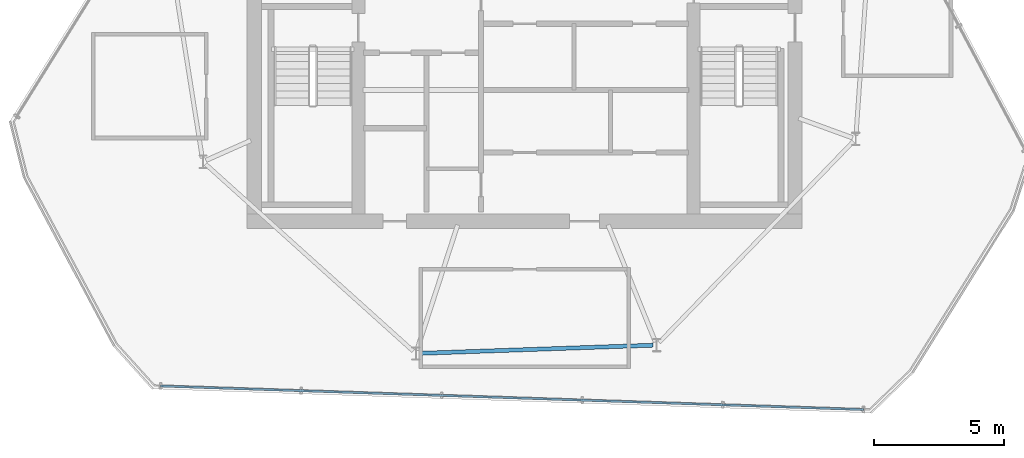
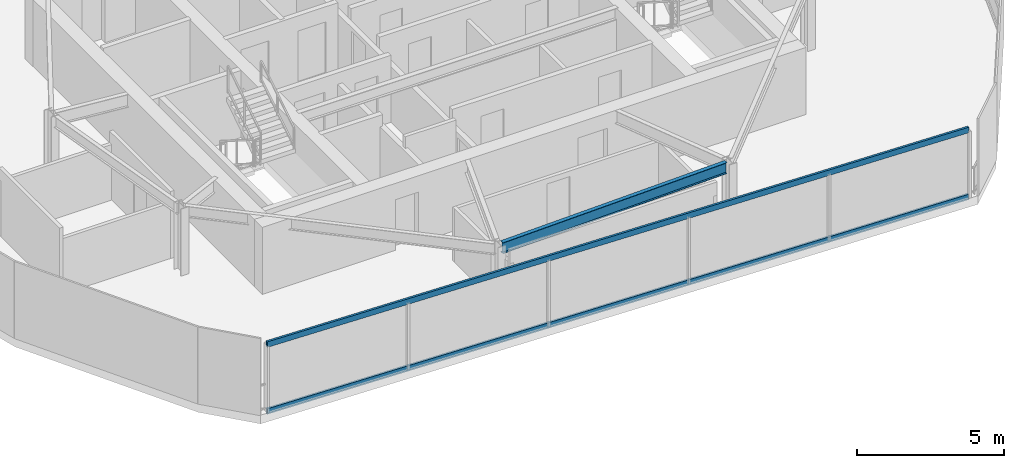
# One storey, part 3 of 16: 2 members, 1 beam, 1 element without a shape of its own.
"""IFC4 building model written with IfcOpenShell, lengths in metres."""

import ifcopenshell
import ifcopenshell.guid

model = None  # the IFC model being written
_history = None  # IfcOwnerHistory: only IFC2X3 demands one
_inside = {}  # id of a spatial element -> (the spatial element, [elements in it])
_under = {}  # id of a project, library or spatial element -> (it, [spatial elements below it])
_declared = {}  # id of a project -> (the project, [libraries it declares])
_typed = {}  # id of a type object -> (the type object, [elements of that type])
_made_of = {}  # id of a material, layer set ... -> (it, [elements and type objects made of it])


def new_model(schema):
    """Start an empty IFC model of exactly this schema.

    Asked for "IFC4X3", IfcOpenShell would pick the latest addendum, in which some entities
    have other attributes; the version numbers below select the first issue.
    IFC2X3 requires an IfcOwnerHistory on every rooted entity: one is made here for all.
    """
    global model, _history
    if schema == "IFC4X3":
        model = ifcopenshell.file(schema_version=(4, 3, 0, 0))
    else:
        model = ifcopenshell.file(schema=schema)
    _inside.clear()
    _under.clear()
    _declared.clear()
    _typed.clear()
    _made_of.clear()
    _history = None
    if model.schema == "IFC2X3":
        org = make("IfcOrganization", Name="unknown")
        user = make(
            "IfcPersonAndOrganization",
            ThePerson=make("IfcPerson", FamilyName="unknown"),
            TheOrganization=org,
        )
        app = make(
            "IfcApplication",
            ApplicationDeveloper=org,
            Version="unknown",
            ApplicationFullName="unknown",
            ApplicationIdentifier="unknown",
        )
        _history = make(
            "IfcOwnerHistory",
            OwningUser=user,
            OwningApplication=app,
            ChangeAction="ADDED",
            CreationDate=0,
        )
    return model


def make(cls, **values):
    """One entity of the class cls with the attributes given. An attribute that is None is left unset."""
    return model.create_entity(
        cls, **{name: value for name, value in values.items() if value is not None}
    )


def rooted(cls, **values):
    """An entity with a GlobalId (a new one), such as an element, a storey or a relation."""
    return make(cls, GlobalId=ifcopenshell.guid.new(), OwnerHistory=_history, **values)


def si_unit(unit_type, name, prefix=None):
    """IfcSIUnit, for example si_unit("LENGTHUNIT", "METRE", prefix="MILLI")."""
    return make("IfcSIUnit", UnitType=unit_type, Prefix=prefix, Name=name)


def assignment(units):
    """IfcUnitAssignment: the units of a project."""
    return None if units is None else make("IfcUnitAssignment", Units=units)


def point(xyz):
    """IfcCartesianPoint."""
    return None if xyz is None else make("IfcCartesianPoint", Coordinates=xyz)


def direction(xyz):
    """IfcDirection."""
    return None if xyz is None else make("IfcDirection", DirectionRatios=xyz)


def frame(location, z_axis=None, x_axis=None):
    """IfcAxis2Placement3D, a coordinate frame: its origin and axes. An axis left out is left unset."""
    return make(
        "IfcAxis2Placement3D",
        Location=point(location),
        Axis=direction(z_axis),
        RefDirection=direction(x_axis),
    )


def frame_2d(location, x_axis=None):
    """IfcAxis2Placement2D, a coordinate frame in the plane: its origin and x axis."""
    return make(
        "IfcAxis2Placement2D", Location=point(location), RefDirection=direction(x_axis)
    )


def origin():
    """The frame at (0, 0, 0) with its axes left unset."""
    return frame((0.0, 0.0, 0.0))


def origin_2d():
    """The frame at (0, 0) in the plane with its x axis left unset."""
    return frame_2d((0.0, 0.0))


def place(relative_to, where):
    """IfcLocalPlacement: puts the frame where relative to a parent placement (None: the world)."""
    return make(
        "IfcLocalPlacement", PlacementRelTo=relative_to, RelativePlacement=where
    )


def context(
    kind, dimensions, precision=None, world=None, true_north=None, identifier=None
):
    """IfcGeometricRepresentationContext, for example the 3D "Model" context."""
    return make(
        "IfcGeometricRepresentationContext",
        ContextIdentifier=identifier,
        ContextType=kind,
        CoordinateSpaceDimension=dimensions,
        Precision=precision,
        WorldCoordinateSystem=world,
        TrueNorth=true_north,
    )


def subcontext(parent, identifier, kind, view, scale=None):
    """IfcGeometricRepresentationSubContext, for example "Body" below "Model"."""
    return make(
        "IfcGeometricRepresentationSubContext",
        ContextIdentifier=identifier,
        ContextType=kind,
        ParentContext=parent,
        TargetScale=scale,
        TargetView=view,
    )


def project(units=None, contexts=None):
    """IfcProject with its units and contexts."""
    return rooted(
        "IfcProject",
        Name="project",
        RepresentationContexts=contexts,
        UnitsInContext=assignment(units),
    )


def spatial(cls, under=None, at=None, **own):
    """A site, building, storey or space (cls), placed at a placement, below another one or the project."""
    s = rooted(cls, ObjectPlacement=at, **own)
    if under is not None:
        _under.setdefault(under.id(), (under, []))[1].append(s)
    return s


def profile(cls, at=None, kind="AREA", **sizes):
    """A parametric profile (cls). Its sizes go by their IFC names, for example OverallWidth=200.0."""
    return make(cls, ProfileType=kind, Position=at, **sizes)


def hollow_rectangle(**sizes):
    """IfcRectangleHollowProfileDef."""
    return profile("IfcRectangleHollowProfileDef", **sizes)


def i_section(**sizes):
    """IfcIShapeProfileDef."""
    return profile("IfcIShapeProfileDef", **sizes)


def extrude(swept, where, along, depth):
    """IfcExtrudedAreaSolid: the profile swept, set in the frame where, extruded along a direction by depth."""
    return make(
        "IfcExtrudedAreaSolid",
        SweptArea=swept,
        Position=where,
        ExtrudedDirection=direction(along),
        Depth=depth,
    )


def shape(context_of_items, identifier, shape_type, items):
    """IfcShapeRepresentation: the items that make up one representation, for example the "Body"."""
    return make(
        "IfcShapeRepresentation",
        ContextOfItems=context_of_items,
        RepresentationIdentifier=identifier,
        RepresentationType=shape_type,
        Items=items,
    )


def material(Name=None, Category=None):
    """IfcMaterial."""
    return make("IfcMaterial", Name=Name, Category=Category)


def layer(
    of_material, thickness, ventilated=None, Name=None, Category=None, Priority=None
):
    """IfcMaterialLayer: one layer of a wall or slab, of a material (None: an air gap)."""
    return make(
        "IfcMaterialLayer",
        Material=of_material,
        LayerThickness=thickness,
        IsVentilated=ventilated,
        Name=Name,
        Category=Category,
        Priority=Priority,
    )


def layer_set(layers, Name=None):
    """IfcMaterialLayerSet."""
    return make("IfcMaterialLayerSet", MaterialLayers=layers, LayerSetName=Name)


def material_profile(
    of_material, cross_section, Name=None, Category=None, Priority=None
):
    """IfcMaterialProfile: a cross section and its material."""
    return make(
        "IfcMaterialProfile",
        Name=Name,
        Material=of_material,
        Profile=cross_section,
        Priority=Priority,
        Category=Category,
    )


def profile_set(profiles, Name=None, composite=None):
    """IfcMaterialProfileSet."""
    return make(
        "IfcMaterialProfileSet",
        Name=Name,
        MaterialProfiles=profiles,
        CompositeProfile=composite,
    )


def made_of(thing, what):
    """Note that an element or type object is made of a material, layer set ...; save() writes the relation."""
    if what is not None:
        _made_of.setdefault(what.id(), (what, []))[1].append(thing)
    return thing


def type_object(cls, material=None, **own):
    """A type object (cls), such as IfcWallType, which elements share."""
    return made_of(rooted(cls, **own), material)


def element(
    cls,
    number,
    at=None,
    inside=None,
    cuts=None,
    type_object=None,
    material=None,
    context=None,
    identifier="Body",
    shape_type=None,
    held_by="IfcProductDefinitionShape",
    body=None,
    shapes=None,
    **own,
):
    """One element of the class cls, such as IfcWall. Its Tag is "e" and its number.

    at: its placement. inside: the storey or other place that contains it. cuts: it is an
    opening in that element (IfcRelVoidsElement). A single representation is given by context,
    identifier, shape_type and body (its items); several are given by shapes. held_by: the class
    of the entity that holds the representations. save() writes the other relations.
    """
    e = rooted(cls, Tag="e%d" % number, ObjectPlacement=at, **own)
    if body is not None:
        shapes = [shape(context, identifier, shape_type, body)]
    if shapes is not None:
        e.Representation = make(held_by, Representations=shapes)
    if inside is not None:
        _inside.setdefault(inside.id(), (inside, []))[1].append(e)
    if cuts is not None:
        rooted(
            "IfcRelVoidsElement", RelatingBuildingElement=cuts, RelatedOpeningElement=e
        )
    if type_object is not None:
        _typed.setdefault(type_object.id(), (type_object, []))[1].append(e)
    return made_of(e, material)


def aggregate(whole, parts):
    """IfcRelAggregates: a whole, such as a stair, and the parts it consists of."""
    return rooted("IfcRelAggregates", RelatingObject=whole, RelatedObjects=parts)


def save(model, path):
    """Write the relations noted so far, then the file.

    IfcRelAggregates (storeys below a building ...), IfcRelContainedInSpatialStructure (elements
    in a storey), IfcRelDefinesByType, IfcRelAssociatesMaterial and IfcRelDeclares: one each for
    every whole, place, type object, material and project.
    """
    for whole, parts in _under.values():
        aggregate(whole, parts)
    for where, things in _inside.values():
        rooted(
            "IfcRelContainedInSpatialStructure",
            RelatedElements=things,
            RelatingStructure=where,
        )
    for kind, things in _typed.values():
        rooted("IfcRelDefinesByType", RelatedObjects=things, RelatingType=kind)
    for what, things in _made_of.values():
        rooted("IfcRelAssociatesMaterial", RelatedObjects=things, RelatingMaterial=what)
    for by, libraries in _declared.values():
        rooted("IfcRelDeclares", RelatingContext=by, RelatedDefinitions=libraries)
    model.write(path)


model = new_model("IFC4")

# Units and contexts
model_context = context("Model", 3, precision=1e-05, world=origin(), true_north=direction((0.0, 1.0)))
body_context = subcontext(model_context, "Body", "Model", "MODEL_VIEW")
ifc_project = project(units=[si_unit("LENGTHUNIT", "METRE"), si_unit("AREAUNIT", "SQUARE_METRE"), si_unit("VOLUMEUNIT", "CUBIC_METRE"), si_unit("PLANEANGLEUNIT", "RADIAN"), si_unit("MASSUNIT", "GRAM", prefix="KILO")], contexts=[model_context])

# Site, building, storey
site_placement = place(None, origin())
site = spatial("IfcSite", under=ifc_project, at=site_placement, CompositionType="ELEMENT")
building_placement = place(site_placement, origin())
building = spatial("IfcBuilding", under=site, at=building_placement, Name="Qarnah Convention Tower", CompositionType="ELEMENT")
storey_placement = place(building_placement, frame((0.0, 0.0, 286.699951171875)))
storey = spatial("IfcBuildingStorey", under=building, at=storey_placement, Name="L77", CompositionType="ELEMENT", Elevation=286.699951171875)

# Beam
ifc_material_1 = material(Name="Structural steel S355JR", Category="steel")
ifc_material_profile_1 = material_profile(ifc_material_1, i_section(OverallWidth=0.154052734375, OverallDepth=0.4599609375, WebThickness=0.009033203125, FlangeThickness=0.014892578125, at=origin_2d()), Name="W460X68")
ifc_profile_set_1 = profile_set([ifc_material_profile_1], Name="Structural steel S355JR")
beam_type = type_object("IfcBeamType", Name="BM-SPN-W460B", PredefinedType="SPANDREL", material=ifc_profile_set_1)
beam_placement = place(storey_placement, frame((33.153076171875, 13.51806640625, 2.550048828125), z_axis=(0.999389760583, 0.034930022072, 0.0), x_axis=(-0.034930022072, 0.999389760583, 0.0)))
element("IfcBeam", 1, at=beam_placement, inside=storey, type_object=beam_type, Name="L77 spandrel BM-L77-SPN-07", PredefinedType="SPANDREL", context=body_context, shape_type="SweptSolid", body=[
    extrude(i_section(OverallWidth=0.154052734375, OverallDepth=0.4599609375, WebThickness=0.009033203125, FlangeThickness=0.014892578125, at=origin_2d()), origin(), (0.0, 0.0, 1.0), 8.98828125),
])

# Curtain wall, members
ifc_material_2 = material(Name="Tempered Low-E dark glass", Category="glass")
ifc_layer = layer(ifc_material_2, 0.177978515625)
ifc_layer_set = layer_set([ifc_layer], Name="Tempered Low-E dark glass")
curtain_wall_type = type_object("IfcCurtainWallType", Name="CWS-06", PredefinedType="NOTDEFINED", material=ifc_layer_set)
curtain_wall_placement = place(storey_placement, origin())
curtain_wall = element("IfcCurtainWall", 2, at=curtain_wall_placement, inside=storey, type_object=curtain_wall_type, Name="L77 unitised curtain wall CW-L77-F2", PredefinedType="NOTDEFINED")
ifc_material_3 = material(Name="Black anodised aluminium", Category="aluminium")
ifc_material_profile_2 = material_profile(ifc_material_3, hollow_rectangle(XDim=0.0849609375, YDim=0.22998046875, WallThickness=0.006103515625, at=origin_2d()), Name="TRN-85X230")
ifc_profile_set_2 = profile_set([ifc_material_profile_2], Name="Black anodised aluminium")
member_type = type_object("IfcMemberType", Name="TRN-T6", PredefinedType="USERDEFINED", material=ifc_profile_set_2)
member_1_placement = place(storey_placement, frame((50.22802734375, 11.35498046875, 0.0), z_axis=(-0.999438890245, 0.033494845361, 0.0), x_axis=(-0.033494845361, -0.999438890245, 0.0)))
member_1 = element("IfcMember", 3, at=member_1_placement, type_object=member_type, Name="CW-L77-F2 transom 1", ObjectType="TRANSOM", PredefinedType="USERDEFINED", context=body_context, shape_type="SweptSolid", body=[
    extrude(hollow_rectangle(XDim=0.0849609375, YDim=0.22998046875, WallThickness=0.006103515625, at=origin_2d()), origin(), (0.0, 0.0, 1.0), 27.049072265625),
])
member_2_placement = place(storey_placement, frame((50.22802734375, 11.35498046875, 2.780029296875), z_axis=(-0.999438890245, 0.033494845361, 0.0), x_axis=(-0.033494845361, -0.999438890245, 0.0)))
member_2 = element("IfcMember", 4, at=member_2_placement, type_object=member_type, Name="CW-L77-F2 transom 2", ObjectType="TRANSOM", PredefinedType="USERDEFINED", context=body_context, shape_type="SweptSolid", body=[
    extrude(hollow_rectangle(XDim=0.0849609375, YDim=0.22998046875, WallThickness=0.006103515625, at=origin_2d()), origin(), (0.0, 0.0, 1.0), 27.049072265625),
])
aggregate(curtain_wall, [member_1, member_2])

save(model, "model.ifc")
